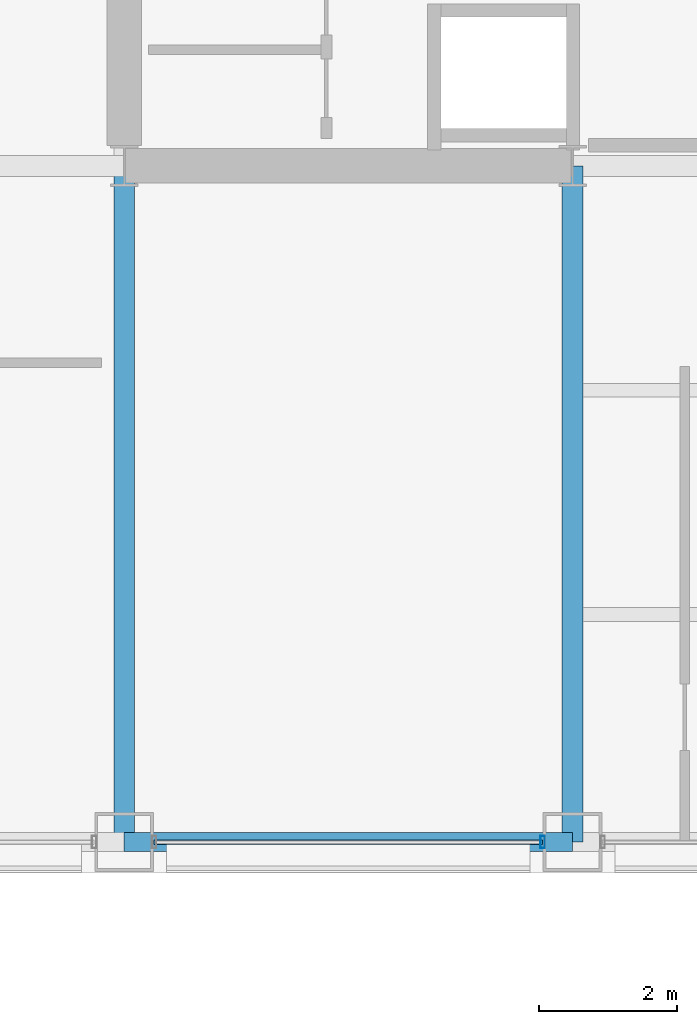
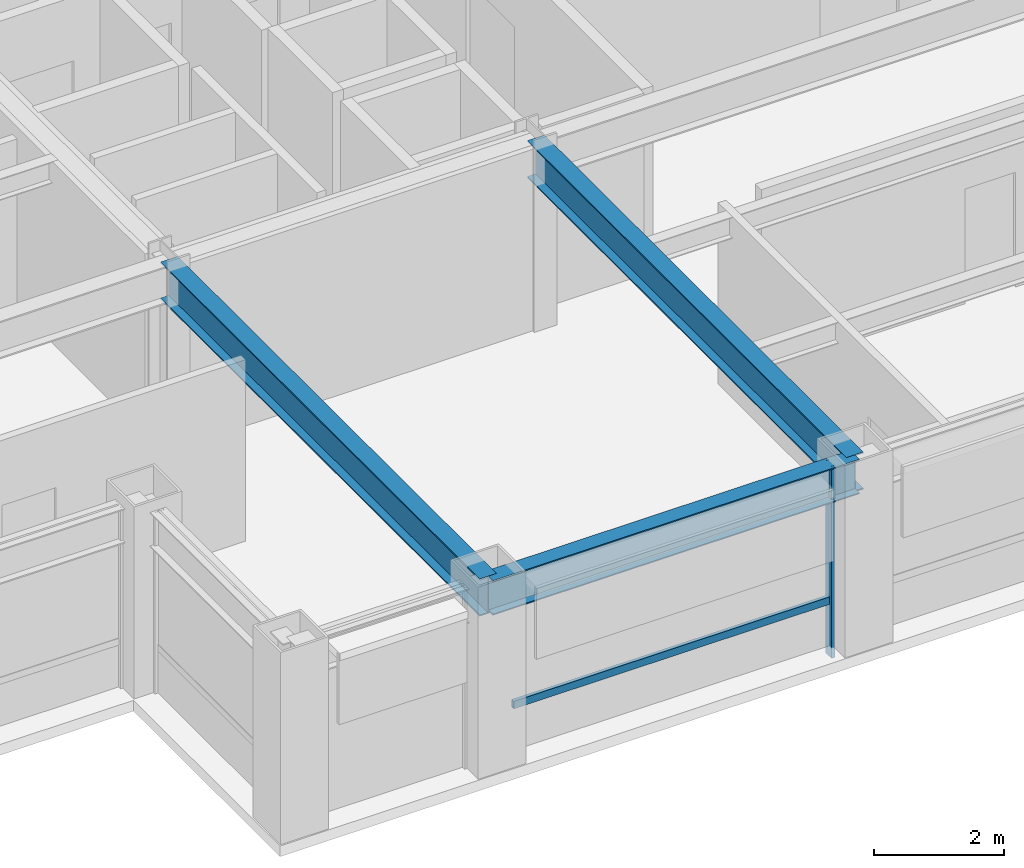
# One storey, part 3 of 34: 3 beams, 2 members, 1 element without a shape of its own.
"""IFC4 building model written with IfcOpenShell, lengths in metres."""

import ifcopenshell
import ifcopenshell.guid

model = None  # the IFC model being written
_history = None  # IfcOwnerHistory: only IFC2X3 demands one
_inside = {}  # id of a spatial element -> (the spatial element, [elements in it])
_under = {}  # id of a project, library or spatial element -> (it, [spatial elements below it])
_declared = {}  # id of a project -> (the project, [libraries it declares])
_typed = {}  # id of a type object -> (the type object, [elements of that type])
_made_of = {}  # id of a material, layer set ... -> (it, [elements and type objects made of it])


def new_model(schema):
    """Start an empty IFC model of exactly this schema.

    Asked for "IFC4X3", IfcOpenShell would pick the latest addendum, in which some entities
    have other attributes; the version numbers below select the first issue.
    IFC2X3 requires an IfcOwnerHistory on every rooted entity: one is made here for all.
    """
    global model, _history
    if schema == "IFC4X3":
        model = ifcopenshell.file(schema_version=(4, 3, 0, 0))
    else:
        model = ifcopenshell.file(schema=schema)
    _inside.clear()
    _under.clear()
    _declared.clear()
    _typed.clear()
    _made_of.clear()
    _history = None
    if model.schema == "IFC2X3":
        org = make("IfcOrganization", Name="unknown")
        user = make(
            "IfcPersonAndOrganization",
            ThePerson=make("IfcPerson", FamilyName="unknown"),
            TheOrganization=org,
        )
        app = make(
            "IfcApplication",
            ApplicationDeveloper=org,
            Version="unknown",
            ApplicationFullName="unknown",
            ApplicationIdentifier="unknown",
        )
        _history = make(
            "IfcOwnerHistory",
            OwningUser=user,
            OwningApplication=app,
            ChangeAction="ADDED",
            CreationDate=0,
        )
    return model


def make(cls, **values):
    """One entity of the class cls with the attributes given. An attribute that is None is left unset."""
    return model.create_entity(
        cls, **{name: value for name, value in values.items() if value is not None}
    )


def rooted(cls, **values):
    """An entity with a GlobalId (a new one), such as an element, a storey or a relation."""
    return make(cls, GlobalId=ifcopenshell.guid.new(), OwnerHistory=_history, **values)


def si_unit(unit_type, name, prefix=None):
    """IfcSIUnit, for example si_unit("LENGTHUNIT", "METRE", prefix="MILLI")."""
    return make("IfcSIUnit", UnitType=unit_type, Prefix=prefix, Name=name)


def assignment(units):
    """IfcUnitAssignment: the units of a project."""
    return None if units is None else make("IfcUnitAssignment", Units=units)


def point(xyz):
    """IfcCartesianPoint."""
    return None if xyz is None else make("IfcCartesianPoint", Coordinates=xyz)


def direction(xyz):
    """IfcDirection."""
    return None if xyz is None else make("IfcDirection", DirectionRatios=xyz)


def frame(location, z_axis=None, x_axis=None):
    """IfcAxis2Placement3D, a coordinate frame: its origin and axes. An axis left out is left unset."""
    return make(
        "IfcAxis2Placement3D",
        Location=point(location),
        Axis=direction(z_axis),
        RefDirection=direction(x_axis),
    )


def frame_2d(location, x_axis=None):
    """IfcAxis2Placement2D, a coordinate frame in the plane: its origin and x axis."""
    return make(
        "IfcAxis2Placement2D", Location=point(location), RefDirection=direction(x_axis)
    )


def origin():
    """The frame at (0, 0, 0) with its axes left unset."""
    return frame((0.0, 0.0, 0.0))


def origin_2d():
    """The frame at (0, 0) in the plane with its x axis left unset."""
    return frame_2d((0.0, 0.0))


def place(relative_to, where):
    """IfcLocalPlacement: puts the frame where relative to a parent placement (None: the world)."""
    return make(
        "IfcLocalPlacement", PlacementRelTo=relative_to, RelativePlacement=where
    )


def context(
    kind, dimensions, precision=None, world=None, true_north=None, identifier=None
):
    """IfcGeometricRepresentationContext, for example the 3D "Model" context."""
    return make(
        "IfcGeometricRepresentationContext",
        ContextIdentifier=identifier,
        ContextType=kind,
        CoordinateSpaceDimension=dimensions,
        Precision=precision,
        WorldCoordinateSystem=world,
        TrueNorth=true_north,
    )


def subcontext(parent, identifier, kind, view, scale=None):
    """IfcGeometricRepresentationSubContext, for example "Body" below "Model"."""
    return make(
        "IfcGeometricRepresentationSubContext",
        ContextIdentifier=identifier,
        ContextType=kind,
        ParentContext=parent,
        TargetScale=scale,
        TargetView=view,
    )


def project(units=None, contexts=None):
    """IfcProject with its units and contexts."""
    return rooted(
        "IfcProject",
        Name="project",
        RepresentationContexts=contexts,
        UnitsInContext=assignment(units),
    )


def spatial(cls, under=None, at=None, **own):
    """A site, building, storey or space (cls), placed at a placement, below another one or the project."""
    s = rooted(cls, ObjectPlacement=at, **own)
    if under is not None:
        _under.setdefault(under.id(), (under, []))[1].append(s)
    return s


def profile(cls, at=None, kind="AREA", **sizes):
    """A parametric profile (cls). Its sizes go by their IFC names, for example OverallWidth=200.0."""
    return make(cls, ProfileType=kind, Position=at, **sizes)


def hollow_rectangle(**sizes):
    """IfcRectangleHollowProfileDef."""
    return profile("IfcRectangleHollowProfileDef", **sizes)


def i_section(**sizes):
    """IfcIShapeProfileDef."""
    return profile("IfcIShapeProfileDef", **sizes)


def extrude(swept, where, along, depth):
    """IfcExtrudedAreaSolid: the profile swept, set in the frame where, extruded along a direction by depth."""
    return make(
        "IfcExtrudedAreaSolid",
        SweptArea=swept,
        Position=where,
        ExtrudedDirection=direction(along),
        Depth=depth,
    )


def shape(context_of_items, identifier, shape_type, items):
    """IfcShapeRepresentation: the items that make up one representation, for example the "Body"."""
    return make(
        "IfcShapeRepresentation",
        ContextOfItems=context_of_items,
        RepresentationIdentifier=identifier,
        RepresentationType=shape_type,
        Items=items,
    )


def material(Name=None, Category=None):
    """IfcMaterial."""
    return make("IfcMaterial", Name=Name, Category=Category)


def layer(
    of_material, thickness, ventilated=None, Name=None, Category=None, Priority=None
):
    """IfcMaterialLayer: one layer of a wall or slab, of a material (None: an air gap)."""
    return make(
        "IfcMaterialLayer",
        Material=of_material,
        LayerThickness=thickness,
        IsVentilated=ventilated,
        Name=Name,
        Category=Category,
        Priority=Priority,
    )


def layer_set(layers, Name=None):
    """IfcMaterialLayerSet."""
    return make("IfcMaterialLayerSet", MaterialLayers=layers, LayerSetName=Name)


def material_profile(
    of_material, cross_section, Name=None, Category=None, Priority=None
):
    """IfcMaterialProfile: a cross section and its material."""
    return make(
        "IfcMaterialProfile",
        Name=Name,
        Material=of_material,
        Profile=cross_section,
        Priority=Priority,
        Category=Category,
    )


def profile_set(profiles, Name=None, composite=None):
    """IfcMaterialProfileSet."""
    return make(
        "IfcMaterialProfileSet",
        Name=Name,
        MaterialProfiles=profiles,
        CompositeProfile=composite,
    )


def made_of(thing, what):
    """Note that an element or type object is made of a material, layer set ...; save() writes the relation."""
    if what is not None:
        _made_of.setdefault(what.id(), (what, []))[1].append(thing)
    return thing


def type_object(cls, material=None, **own):
    """A type object (cls), such as IfcWallType, which elements share."""
    return made_of(rooted(cls, **own), material)


def element(
    cls,
    number,
    at=None,
    inside=None,
    cuts=None,
    type_object=None,
    material=None,
    context=None,
    identifier="Body",
    shape_type=None,
    held_by="IfcProductDefinitionShape",
    body=None,
    shapes=None,
    **own,
):
    """One element of the class cls, such as IfcWall. Its Tag is "e" and its number.

    at: its placement. inside: the storey or other place that contains it. cuts: it is an
    opening in that element (IfcRelVoidsElement). A single representation is given by context,
    identifier, shape_type and body (its items); several are given by shapes. held_by: the class
    of the entity that holds the representations. save() writes the other relations.
    """
    e = rooted(cls, Tag="e%d" % number, ObjectPlacement=at, **own)
    if body is not None:
        shapes = [shape(context, identifier, shape_type, body)]
    if shapes is not None:
        e.Representation = make(held_by, Representations=shapes)
    if inside is not None:
        _inside.setdefault(inside.id(), (inside, []))[1].append(e)
    if cuts is not None:
        rooted(
            "IfcRelVoidsElement", RelatingBuildingElement=cuts, RelatedOpeningElement=e
        )
    if type_object is not None:
        _typed.setdefault(type_object.id(), (type_object, []))[1].append(e)
    return made_of(e, material)


def aggregate(whole, parts):
    """IfcRelAggregates: a whole, such as a stair, and the parts it consists of."""
    return rooted("IfcRelAggregates", RelatingObject=whole, RelatedObjects=parts)


def save(model, path):
    """Write the relations noted so far, then the file.

    IfcRelAggregates (storeys below a building ...), IfcRelContainedInSpatialStructure (elements
    in a storey), IfcRelDefinesByType, IfcRelAssociatesMaterial and IfcRelDeclares: one each for
    every whole, place, type object, material and project.
    """
    for whole, parts in _under.values():
        aggregate(whole, parts)
    for where, things in _inside.values():
        rooted(
            "IfcRelContainedInSpatialStructure",
            RelatedElements=things,
            RelatingStructure=where,
        )
    for kind, things in _typed.values():
        rooted("IfcRelDefinesByType", RelatedObjects=things, RelatingType=kind)
    for what, things in _made_of.values():
        rooted("IfcRelAssociatesMaterial", RelatedObjects=things, RelatingMaterial=what)
    for by, libraries in _declared.values():
        rooted("IfcRelDeclares", RelatingContext=by, RelatedDefinitions=libraries)
    model.write(path)


model = new_model("IFC4")

# Units and contexts
model_context = context("Model", 3, precision=1e-05, world=origin(), true_north=direction((0.0, 1.0)))
body_context = subcontext(model_context, "Body", "Model", "MODEL_VIEW")
ifc_project = project(units=[si_unit("LENGTHUNIT", "METRE"), si_unit("AREAUNIT", "SQUARE_METRE"), si_unit("VOLUMEUNIT", "CUBIC_METRE"), si_unit("PLANEANGLEUNIT", "RADIAN"), si_unit("MASSUNIT", "GRAM", prefix="KILO")], contexts=[model_context])

# Site, building, storey
site_placement = place(None, origin())
site = spatial("IfcSite", under=ifc_project, at=site_placement, CompositionType="ELEMENT")
building_placement = place(site_placement, origin())
building = spatial("IfcBuilding", under=site, at=building_placement, Name="Brelmoor Portico Tower", CompositionType="ELEMENT")
storey_placement = place(building_placement, frame((0.0, 0.0, 117.0)))
storey = spatial("IfcBuildingStorey", under=building, at=storey_placement, Name="L30", CompositionType="ELEMENT", Elevation=117.0)

# Beams
ifc_material_1 = material(Name="Steel Q355B", Category="steel")
ifc_material_profile_1 = material_profile(ifc_material_1, i_section(OverallWidth=0.300048828125, OverallDepth=0.699951171875, WebThickness=0.012939453125, FlangeThickness=0.02392578125, at=origin_2d()), Name="HN 700x300x13x24")
ifc_profile_set_1 = profile_set([ifc_material_profile_1], Name="Steel Q355B")
beam_type_1 = type_object("IfcBeamType", Name="BM-PG-700", PredefinedType="BEAM", material=ifc_profile_set_1)
for number, where, z_axis, x_axis, name in (
    (1, (-14.550048828125, -19.550048828125, 3.050048828125), (0.0, 1.0, 0.0), (-1.0, 0.0, 0.0), "L30 Primary Floor Girder PG-01"),
    (2, (-8.050048828125, -19.550048828125, 3.050048828125), (0.0, 1.0, 0.0), (-1.0, 0.0, 0.0), "L30 Primary Floor Girder PG-05"),
):
    element("IfcBeam", number, at=place(storey_placement, frame(where, z_axis=z_axis, x_axis=x_axis)), inside=storey, type_object=beam_type_1, Name=name, PredefinedType="BEAM", context=body_context, shape_type="SweptSolid", body=[
        extrude(i_section(OverallWidth=0.300048828125, OverallDepth=0.699951171875, WebThickness=0.012939453125, FlangeThickness=0.02392578125, at=origin_2d()), origin(), (0.0, 0.0, 1.0), 9.800048828125),
    ])
ifc_material_profile_2 = material_profile(ifc_material_1, i_section(OverallWidth=0.280029296875, OverallDepth=0.64990234375, WebThickness=0.012939453125, FlangeThickness=0.02197265625, at=origin_2d()), Name="HN 650x280x13x22")
ifc_profile_set_2 = profile_set([ifc_material_profile_2], Name="Steel Q355B")
beam_type_2 = type_object("IfcBeamType", Name="BM-SP-650", PredefinedType="SPANDREL", material=ifc_profile_set_2)
beam_placement = place(storey_placement, frame((-14.550048828125, -19.550048828125, 3.074951171875), z_axis=(1.0, 0.0, 0.0), x_axis=(0.0, 1.0, 0.0)))
element("IfcBeam", 3, at=beam_placement, inside=storey, type_object=beam_type_2, Name="L30 Perimeter Spandrel Beam SP-02", PredefinedType="SPANDREL", context=body_context, shape_type="SweptSolid", body=[
    extrude(i_section(OverallWidth=0.280029296875, OverallDepth=0.64990234375, WebThickness=0.012939453125, FlangeThickness=0.02197265625, at=origin_2d()), origin(), (0.0, 0.0, 1.0), 6.5),
])

# Curtain wall, members
ifc_material_2 = material(Name="Anodised Aluminium Alloy 6063-T6", Category="aluminium")
ifc_layer = layer(ifc_material_2, 0.179931640625)
ifc_layer_set = layer_set([ifc_layer], Name="Anodised Aluminium Alloy 6063-T6")
curtain_wall_type = type_object("IfcCurtainWallType", Name="CW-TOWER-Z2", PredefinedType="NOTDEFINED", material=ifc_layer_set)
curtain_wall_placement = place(storey_placement, origin())
curtain_wall = element("IfcCurtainWall", 4, at=curtain_wall_placement, inside=storey, type_object=curtain_wall_type, Name="L30 Curtain Wall CW-L30-01-2", PredefinedType="NOTDEFINED")
ifc_material_profile_3 = material_profile(ifc_material_2, hollow_rectangle(XDim=0.06494140625, YDim=0.179931640625, WallThickness=0.00390625, at=origin_2d()), Name="ALU MULLION 65x180")
ifc_profile_set_3 = profile_set([ifc_material_profile_3], Name="Anodised Aluminium Alloy 6063-T6")
member_type_1 = type_object("IfcMemberType", Name="MB-CW-MULL-180", PredefinedType="MULLION", material=ifc_profile_set_3)
member_1_placement = place(storey_placement, frame((-8.485107421875, -19.550048828125, -0.199951171875), z_axis=(0.0, 0.0, 1.0), x_axis=(1.0, 0.0, 0.0)))
member_1 = element("IfcMember", 5, at=member_1_placement, type_object=member_type_1, Name="CW-L30-01-2 Mullion 01", PredefinedType="MULLION", context=body_context, shape_type="SweptSolid", body=[
    extrude(hollow_rectangle(XDim=0.06494140625, YDim=0.179931640625, WallThickness=0.00390625, at=origin_2d()), origin(), (0.0, 0.0, 1.0), 3.599853515625),
])
ifc_material_profile_4 = material_profile(ifc_material_2, hollow_rectangle(XDim=0.06494140625, YDim=0.139892578125, WallThickness=0.00390625, at=origin_2d()), Name="ALU TRANSOM 65x140")
ifc_profile_set_4 = profile_set([ifc_material_profile_4], Name="Anodised Aluminium Alloy 6063-T6")
member_type_2 = type_object("IfcMemberType", Name="MB-CW-TRAN-140", PredefinedType="USERDEFINED", material=ifc_profile_set_4)
member_2_placement = place(storey_placement, frame((-14.114990234375, -19.550048828125, 0.85009765625), z_axis=(1.0, 0.0, 0.0), x_axis=(0.0, 1.0, 0.0)))
member_2 = element("IfcMember", 6, at=member_2_placement, type_object=member_type_2, Name="CW-L30-01-2 Transom 1-00", ObjectType="TRANSOM", PredefinedType="USERDEFINED", context=body_context, shape_type="SweptSolid", body=[
    extrude(hollow_rectangle(XDim=0.06494140625, YDim=0.139892578125, WallThickness=0.00390625, at=origin_2d()), origin(), (0.0, 0.0, 1.0), 5.6298828125),
])
aggregate(curtain_wall, [member_1, member_2])

save(model, "model.ifc")
